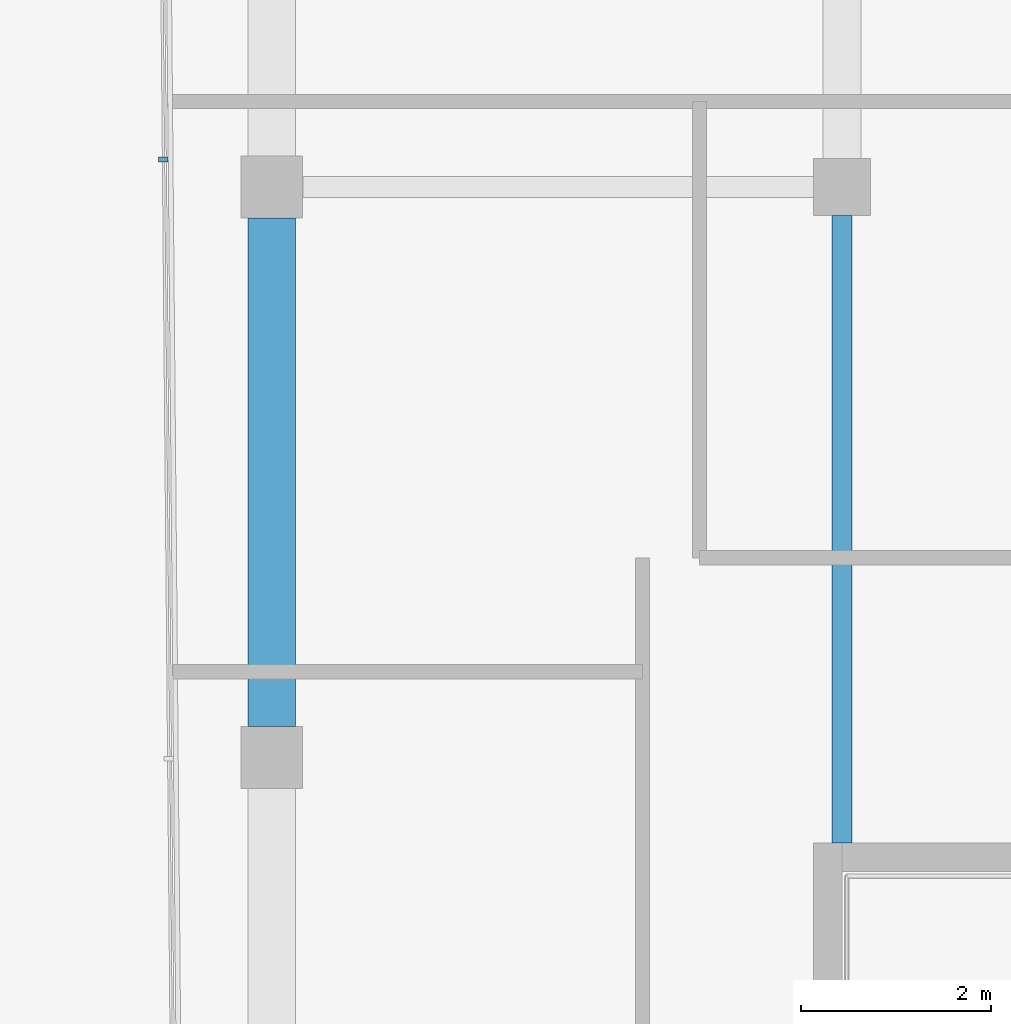
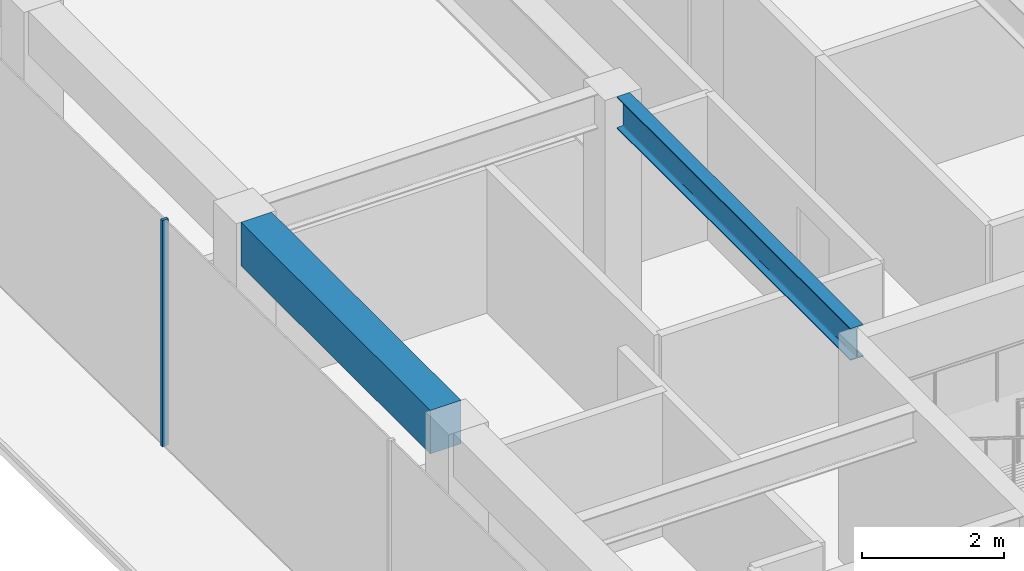
# One storey, part 8 of 21: 2 beams, 1 member, 1 element without a shape of its own.
"""IFC4 building model written with IfcOpenShell, lengths in metres."""

from ifc_helpers import new_model, si_unit, direction, frame, origin, origin_2d, place, context, subcontext, project, spatial, rectangle, i_section, extrude, material, layer, layer_set, material_profile, profile_set, type_object, element, aggregate, save


model = new_model("IFC4")

# Units and contexts
model_context = context("Model", 3, precision=1e-05, world=origin(), true_north=direction((0.0, 1.0)))
body_context = subcontext(model_context, "Body", "Model", "MODEL_VIEW")
ifc_project = project(units=[si_unit("LENGTHUNIT", "METRE"), si_unit("AREAUNIT", "SQUARE_METRE"), si_unit("VOLUMEUNIT", "CUBIC_METRE"), si_unit("PLANEANGLEUNIT", "RADIAN"), si_unit("MASSUNIT", "GRAM", prefix="KILO")], contexts=[model_context])

# Site, building, storey
site_placement = place(None, origin())
site = spatial("IfcSite", under=ifc_project, at=site_placement, CompositionType="ELEMENT")
building_placement = place(site_placement, origin())
building = spatial("IfcBuilding", under=site, at=building_placement, Name="Welwitschia Terrace Campus", CompositionType="ELEMENT")
storey_placement = place(building_placement, frame((0.0, 0.0, 331.39990234375)))
storey = spatial("IfcBuildingStorey", under=building, at=storey_placement, Name="L74", CompositionType="ELEMENT", Elevation=331.39990234375)

# Beam
ifc_material_1 = material(Name="Steel S355", Category="steel")
ifc_material_profile_1 = material_profile(ifc_material_1, i_section(OverallWidth=0.2099609375, OverallDepth=0.550048828125, WebThickness=0.010986328125, FlangeThickness=0.01708984375, FilletRadius=0.02392578125, at=origin_2d()))
ifc_profile_set_1 = profile_set([ifc_material_profile_1], Name="Steel S355")
beam_type_1 = type_object("IfcBeamType", Name="Interior girder IPE 550", PredefinedType="BEAM", material=ifc_profile_set_1)
beam_1_placement = place(storey_placement, frame((6.0, 25.10107421875, 3.625), z_axis=(0.0, 1.0, 0.0), x_axis=(-1.0, 0.0, 0.0)))
element("IfcBeam", 1, at=beam_1_placement, inside=storey, type_object=beam_type_1, Name="Girder GB7", PredefinedType="BEAM", context=body_context, shape_type="SweptSolid", body=[
    extrude(i_section(OverallWidth=0.2099609375, OverallDepth=0.550048828125, WebThickness=0.010986328125, FlangeThickness=0.01708984375, FilletRadius=0.02392578125, at=origin_2d()), origin(), (0.0, 0.0, 1.0), 6.598388671875),
])

# Curtain wall, member
ifc_material_2 = material(Name="Bronze anodised aluminium", Category="aluminium")
ifc_layer = layer(ifc_material_2, 0.10009765625)
ifc_layer_set = layer_set([ifc_layer], Name="Bronze anodised aluminium")
curtain_wall_type = type_object("IfcCurtainWallType", Name="Curtain wall CW5 crown 6000", PredefinedType="NOTDEFINED", material=ifc_layer_set)
curtain_wall_placement = place(storey_placement, origin())
curtain_wall = element("IfcCurtainWall", 2, at=curtain_wall_placement, inside=storey, type_object=curtain_wall_type, Name="CW L74.0.0", PredefinedType="NOTDEFINED")
ifc_material_3 = material(Name="Bronze anodised aluminium", Category="aluminium")
ifc_material_profile_2 = material_profile(ifc_material_3, rectangle(XDim=0.10009765625, YDim=0.050048828125, at=origin_2d()))
ifc_profile_set_2 = profile_set([ifc_material_profile_2], Name="Bronze anodised aluminium")
member_type = type_object("IfcMemberType", Name="Mullion 50x100", PredefinedType="MULLION", material=ifc_profile_set_2)
member_placement = place(storey_placement, frame((-1.14013671875, 32.289306640625, 0.0), z_axis=(0.0, 0.0, 1.0), x_axis=(0.999961923064, 0.008726535498, 0.0)))
member = element("IfcMember", 3, at=member_placement, type_object=member_type, Name="Mullion L74.0.0.2", PredefinedType="MULLION", context=body_context, shape_type="SweptSolid", body=[
    extrude(rectangle(XDim=0.10009765625, YDim=0.050048828125, at=origin_2d()), origin(), (0.0, 0.0, 1.0), 3.900146484375),
])
aggregate(curtain_wall, [member])

# Beam
ifc_material_4 = material(Name="Concrete C40/50", Category="concrete")
ifc_material_profile_3 = material_profile(ifc_material_4, rectangle(XDim=0.5, YDim=0.75, at=origin_2d()))
ifc_profile_set_3 = profile_set([ifc_material_profile_3], Name="Concrete C40/50")
beam_type_2 = type_object("IfcBeamType", Name="Ring spandrel 500x750", PredefinedType="SPANDREL", material=ifc_profile_set_3)
beam_2_placement = place(storey_placement, frame((0.0, 31.674560546875, 3.525146484375), z_axis=(0.0, -1.0, 0.0), x_axis=(1.0, 0.0, 0.0)))
element("IfcBeam", 4, at=beam_2_placement, inside=storey, type_object=beam_type_2, Name="Spandrel SP5", PredefinedType="SPANDREL", context=body_context, shape_type="SweptSolid", body=[
    extrude(rectangle(XDim=0.5, YDim=0.75, at=origin_2d()), origin(), (0.0, 0.0, 1.0), 5.34912109375),
])

save(model, "model.ifc")
